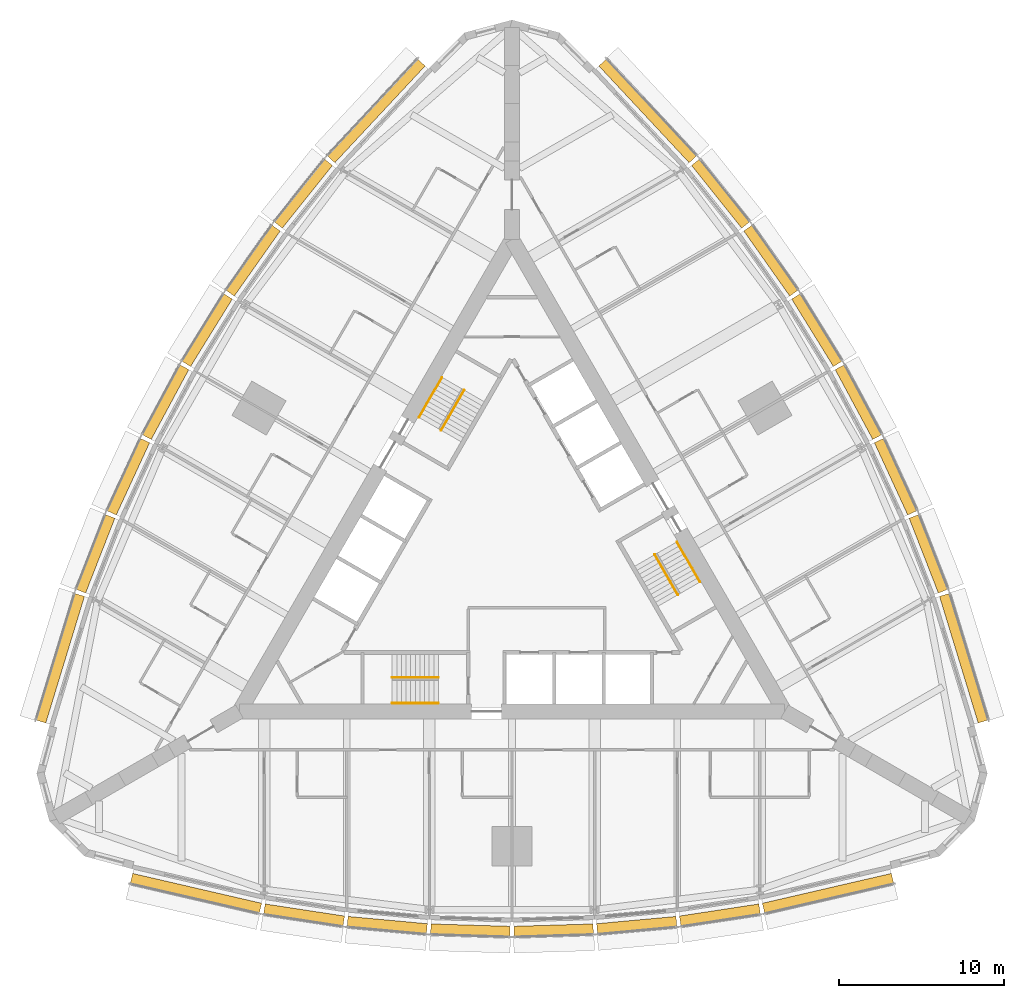
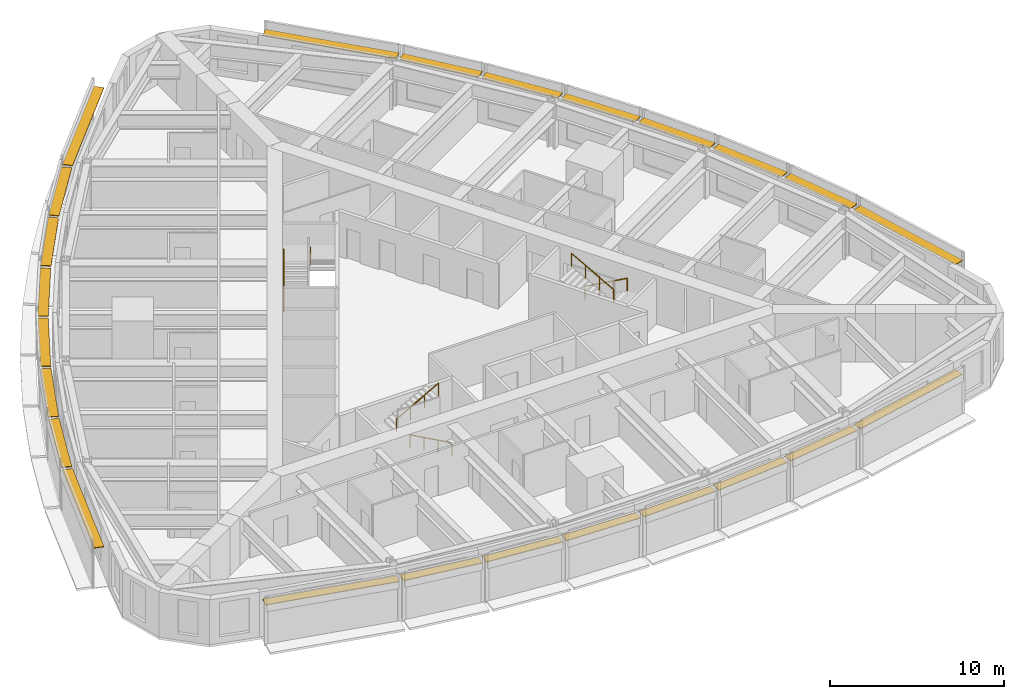
# One storey, part 14 of 14: 24 shading devices, 6 railings.
"""IFC4 building model written with IfcOpenShell, lengths in metres."""

from ifc_helpers import new_model, si_unit, direction, frame, origin, origin_2d, place, context, subcontext, project, spatial, rectangle, circle, extrude, material, type_object, element, save


model = new_model("IFC4")

# Units and contexts
model_context = context("Model", 3, precision=1e-05, world=origin(), true_north=direction((0.0, 1.0)))
body_context = subcontext(model_context, "Body", "Model", "MODEL_VIEW")
ifc_project = project(units=[si_unit("LENGTHUNIT", "METRE"), si_unit("AREAUNIT", "SQUARE_METRE"), si_unit("VOLUMEUNIT", "CUBIC_METRE"), si_unit("PLANEANGLEUNIT", "RADIAN"), si_unit("MASSUNIT", "GRAM", prefix="KILO")], contexts=[model_context])

# Site, building, storey
site_placement = place(None, origin())
site = spatial("IfcSite", under=ifc_project, at=site_placement, CompositionType="ELEMENT")
building_placement = place(site_placement, origin())
building = spatial("IfcBuilding", under=site, at=building_placement, Name="Trikona Tower", CompositionType="ELEMENT")
storey_placement = place(building_placement, frame((0.0, 0.0, 99.89990234375)))
storey = spatial("IfcBuildingStorey", under=building, at=storey_placement, Name="L26", CompositionType="ELEMENT", Elevation=99.89990234375)

# Shading devices
ifc_material_1 = material(Name="Aluminium louvre blade, pale anodised", Category="aluminium")
shading_device_type = type_object("IfcShadingDeviceType", Name="Cavity louvre 600", PredefinedType="USERDEFINED", material=ifc_material_1)
shading_device_1_placement = place(storey_placement, frame((-19.126220703125, -20.5234375, 2.77490234375), z_axis=(0.0, 0.0, 1.0), x_axis=(0.974277718622, -0.225350675607, 0.0)))
element("IfcShadingDevice", 1, at=shading_device_1_placement, inside=storey, type_object=shading_device_type, Name="Cavity louvre L26-00", ObjectType="LOUVRE", PredefinedType="USERDEFINED", context=body_context, shape_type="SweptSolid", body=[
    extrude(rectangle(XDim=8.01123046875, YDim=0.60009765625, at=origin_2d()), origin(), (0.0, 0.0, 1.0), 0.050048828125),
])
shading_device_2_placement = place(storey_placement, frame((-12.584228515625, -21.837158203125, 2.77490234375), z_axis=(0.0, 0.0, 1.0), x_axis=(0.988617896768, -0.150448177754, 0.0)))
element("IfcShadingDevice", 2, at=shading_device_2_placement, inside=storey, type_object=shading_device_type, Name="Cavity louvre L26-01", ObjectType="LOUVRE", PredefinedType="USERDEFINED", context=body_context, shape_type="SweptSolid", body=[
    extrude(rectangle(XDim=4.857666015625, YDim=0.60009765625, at=origin_2d()), origin(), (0.0, 0.0, 1.0), 0.050048828125),
])
shading_device_3_placement = place(storey_placement, frame((-7.55078125, -22.44970703125, 2.77490234375), z_axis=(0.0, 0.0, 1.0), x_axis=(0.995858098326, -0.090921108655, 0.0)))
element("IfcShadingDevice", 3, at=shading_device_3_placement, inside=storey, type_object=shading_device_type, Name="Cavity louvre L26-02", ObjectType="LOUVRE", PredefinedType="USERDEFINED", context=body_context, shape_type="SweptSolid", body=[
    extrude(rectangle(XDim=4.82080078125, YDim=0.60009765625, at=origin_2d()), origin(), (0.0, 0.0, 1.0), 0.050048828125),
])
for number, where, z_axis, x_axis, name in (
    (4, (-2.51708984375, -22.756103515625, 2.77490234375), (0.0, 0.0, 1.0), (0.999537048889, -0.030425119525, 0.0), "Cavity louvre L26-03"),
    (5, (2.51708984375, -22.756103515625, 2.77490234375), (0.0, 0.0, 1.0), (0.999537048889, 0.030425119525, 0.0), "Cavity louvre L26-04"),
):
    element("IfcShadingDevice", number, at=place(storey_placement, frame(where, z_axis=z_axis, x_axis=x_axis)), inside=storey, type_object=shading_device_type, Name=name, ObjectType="LOUVRE", PredefinedType="USERDEFINED", context=body_context, shape_type="SweptSolid", body=[
        extrude(rectangle(XDim=4.80224609375, YDim=0.60009765625, at=origin_2d()), origin(), (0.0, 0.0, 1.0), 0.050048828125),
    ])
shading_device_4_placement = place(storey_placement, frame((7.55078125, -22.44970703125, 2.77490234375), z_axis=(0.0, 0.0, 1.0), x_axis=(0.995858098326, 0.090921108655, 0.0)))
element("IfcShadingDevice", 6, at=shading_device_4_placement, inside=storey, type_object=shading_device_type, Name="Cavity louvre L26-05", ObjectType="LOUVRE", PredefinedType="USERDEFINED", context=body_context, shape_type="SweptSolid", body=[
    extrude(rectangle(XDim=4.82080078125, YDim=0.60009765625, at=origin_2d()), origin(), (0.0, 0.0, 1.0), 0.050048828125),
])
shading_device_5_placement = place(storey_placement, frame((12.584228515625, -21.837158203125, 2.77490234375), z_axis=(0.0, 0.0, 1.0), x_axis=(0.988617896768, 0.150448177754, 0.0)))
element("IfcShadingDevice", 7, at=shading_device_5_placement, inside=storey, type_object=shading_device_type, Name="Cavity louvre L26-06", ObjectType="LOUVRE", PredefinedType="USERDEFINED", context=body_context, shape_type="SweptSolid", body=[
    extrude(rectangle(XDim=4.857666015625, YDim=0.60009765625, at=origin_2d()), origin(), (0.0, 0.0, 1.0), 0.050048828125),
])
for number, where, z_axis, x_axis, name in (
    (8, (19.126220703125, -20.5234375, 2.77490234375), (0.0, 0.0, 1.0), (0.974277718622, 0.225350675607, 0.0), "Cavity louvre L26-07"),
    (9, (27.3369140625, -6.302001953125, 2.77490234375), (0.0, 0.0, 1.0), (-0.291979449475, 0.956424592471, 0.0), "Cavity louvre L26-12"),
):
    element("IfcShadingDevice", number, at=place(storey_placement, frame(where, z_axis=z_axis, x_axis=x_axis)), inside=storey, type_object=shading_device_type, Name=name, ObjectType="LOUVRE", PredefinedType="USERDEFINED", context=body_context, shape_type="SweptSolid", body=[
        extrude(rectangle(XDim=8.01123046875, YDim=0.60009765625, at=origin_2d()), origin(), (0.0, 0.0, 1.0), 0.050048828125),
    ])
shading_device_6_placement = place(storey_placement, frame((25.20361328125, 0.020263671875, 2.77490234375), z_axis=(0.0, 0.0, 1.0), x_axis=(-0.364008876551, 0.931395478726, 0.0)))
element("IfcShadingDevice", 10, at=shading_device_6_placement, inside=storey, type_object=shading_device_type, Name="Cavity louvre L26-13", ObjectType="LOUVRE", PredefinedType="USERDEFINED", context=body_context, shape_type="SweptSolid", body=[
    extrude(rectangle(XDim=4.857666015625, YDim=0.60009765625, at=origin_2d()), origin(), (0.0, 0.0, 1.0), 0.050048828125),
])
shading_device_7_placement = place(storey_placement, frame((23.217529296875, 4.685546875, 2.77490234375), z_axis=(0.0, 0.0, 1.0), x_axis=(-0.41919381307, 0.907896771161, 0.0)))
element("IfcShadingDevice", 11, at=shading_device_7_placement, inside=storey, type_object=shading_device_type, Name="Cavity louvre L26-14", ObjectType="LOUVRE", PredefinedType="USERDEFINED", context=body_context, shape_type="SweptSolid", body=[
    extrude(rectangle(XDim=4.82080078125, YDim=0.60009765625, at=origin_2d()), origin(), (0.0, 0.0, 1.0), 0.050048828125),
])
for number, where, z_axis, x_axis, name in (
    (12, (20.966064453125, 9.1982421875, 2.77490234375), (0.0, 0.0, 1.0), (-0.473422672721, 0.880835383572, 0.0), "Cavity louvre L26-15"),
    (13, (18.448974609375, 13.557861328125, 2.77490234375), (0.0, 0.0, 1.0), (-0.526118935114, 0.85041099835, 0.0), "Cavity louvre L26-16"),
):
    element("IfcShadingDevice", number, at=place(storey_placement, frame(where, z_axis=z_axis, x_axis=x_axis)), inside=storey, type_object=shading_device_type, Name=name, ObjectType="LOUVRE", PredefinedType="USERDEFINED", context=body_context, shape_type="SweptSolid", body=[
        extrude(rectangle(XDim=4.80224609375, YDim=0.60009765625, at=origin_2d()), origin(), (0.0, 0.0, 1.0), 0.050048828125),
    ])
shading_device_8_placement = place(storey_placement, frame((15.666748046875, 17.76416015625, 2.77490234375), z_axis=(0.0, 0.0, 1.0), x_axis=(-0.576661909499, 0.816982889743, 0.0)))
element("IfcShadingDevice", 14, at=shading_device_8_placement, inside=storey, type_object=shading_device_type, Name="Cavity louvre L26-17", ObjectType="LOUVRE", PredefinedType="USERDEFINED", context=body_context, shape_type="SweptSolid", body=[
    extrude(rectangle(XDim=4.82080078125, YDim=0.60009765625, at=origin_2d()), origin(), (0.0, 0.0, 1.0), 0.050048828125),
])
shading_device_9_placement = place(storey_placement, frame((12.619384765625, 21.81689453125, 2.77490234375), z_axis=(0.0, 0.0, 1.0), x_axis=(-0.624603618277, 0.780941944087, 0.0)))
element("IfcShadingDevice", 15, at=shading_device_9_placement, inside=storey, type_object=shading_device_type, Name="Cavity louvre L26-18", ObjectType="LOUVRE", PredefinedType="USERDEFINED", context=body_context, shape_type="SweptSolid", body=[
    extrude(rectangle(XDim=4.857666015625, YDim=0.60009765625, at=origin_2d()), origin(), (0.0, 0.0, 1.0), 0.050048828125),
])
for number, where, z_axis, x_axis, name in (
    (16, (8.210693359375, 26.825439453125, 2.77490234375), (0.0, 0.0, 1.0), (-0.682298269147, 0.731073916864, 0.0), "Cavity louvre L26-19"),
    (17, (-8.210693359375, 26.825439453125, 2.77490234375), (0.0, 0.0, 1.0), (-0.682298269147, -0.731073916864, 0.0), "Cavity louvre L26-24"),
):
    element("IfcShadingDevice", number, at=place(storey_placement, frame(where, z_axis=z_axis, x_axis=x_axis)), inside=storey, type_object=shading_device_type, Name=name, ObjectType="LOUVRE", PredefinedType="USERDEFINED", context=body_context, shape_type="SweptSolid", body=[
        extrude(rectangle(XDim=8.01123046875, YDim=0.60009765625, at=origin_2d()), origin(), (0.0, 0.0, 1.0), 0.050048828125),
    ])
shading_device_10_placement = place(storey_placement, frame((-12.619384765625, 21.81689453125, 2.77490234375), z_axis=(0.0, 0.0, 1.0), x_axis=(-0.624603618277, -0.780941944087, 0.0)))
element("IfcShadingDevice", 18, at=shading_device_10_placement, inside=storey, type_object=shading_device_type, Name="Cavity louvre L26-25", ObjectType="LOUVRE", PredefinedType="USERDEFINED", context=body_context, shape_type="SweptSolid", body=[
    extrude(rectangle(XDim=4.857666015625, YDim=0.60009765625, at=origin_2d()), origin(), (0.0, 0.0, 1.0), 0.050048828125),
])
shading_device_11_placement = place(storey_placement, frame((-15.666748046875, 17.76416015625, 2.77490234375), z_axis=(0.0, 0.0, 1.0), x_axis=(-0.576661909499, -0.816982889743, 0.0)))
element("IfcShadingDevice", 19, at=shading_device_11_placement, inside=storey, type_object=shading_device_type, Name="Cavity louvre L26-26", ObjectType="LOUVRE", PredefinedType="USERDEFINED", context=body_context, shape_type="SweptSolid", body=[
    extrude(rectangle(XDim=4.82080078125, YDim=0.60009765625, at=origin_2d()), origin(), (0.0, 0.0, 1.0), 0.050048828125),
])
for number, where, z_axis, x_axis, name in (
    (20, (-18.448974609375, 13.557861328125, 2.77490234375), (0.0, 0.0, 1.0), (-0.526118935114, -0.85041099835, 0.0), "Cavity louvre L26-27"),
    (21, (-20.966064453125, 9.1982421875, 2.77490234375), (0.0, 0.0, 1.0), (-0.473422672721, -0.880835383572, 0.0), "Cavity louvre L26-28"),
):
    element("IfcShadingDevice", number, at=place(storey_placement, frame(where, z_axis=z_axis, x_axis=x_axis)), inside=storey, type_object=shading_device_type, Name=name, ObjectType="LOUVRE", PredefinedType="USERDEFINED", context=body_context, shape_type="SweptSolid", body=[
        extrude(rectangle(XDim=4.80224609375, YDim=0.60009765625, at=origin_2d()), origin(), (0.0, 0.0, 1.0), 0.050048828125),
    ])
shading_device_12_placement = place(storey_placement, frame((-23.217529296875, 4.685546875, 2.77490234375), z_axis=(0.0, 0.0, 1.0), x_axis=(-0.41919381307, -0.907896771161, 0.0)))
element("IfcShadingDevice", 22, at=shading_device_12_placement, inside=storey, type_object=shading_device_type, Name="Cavity louvre L26-29", ObjectType="LOUVRE", PredefinedType="USERDEFINED", context=body_context, shape_type="SweptSolid", body=[
    extrude(rectangle(XDim=4.82080078125, YDim=0.60009765625, at=origin_2d()), origin(), (0.0, 0.0, 1.0), 0.050048828125),
])
shading_device_13_placement = place(storey_placement, frame((-25.20361328125, 0.020263671875, 2.77490234375), z_axis=(0.0, 0.0, 1.0), x_axis=(-0.364008876551, -0.931395478726, 0.0)))
element("IfcShadingDevice", 23, at=shading_device_13_placement, inside=storey, type_object=shading_device_type, Name="Cavity louvre L26-30", ObjectType="LOUVRE", PredefinedType="USERDEFINED", context=body_context, shape_type="SweptSolid", body=[
    extrude(rectangle(XDim=4.857666015625, YDim=0.60009765625, at=origin_2d()), origin(), (0.0, 0.0, 1.0), 0.050048828125),
])
shading_device_14_placement = place(storey_placement, frame((-27.3369140625, -6.302001953125, 2.77490234375), z_axis=(0.0, 0.0, 1.0), x_axis=(-0.291979449475, -0.956424592471, 0.0)))
element("IfcShadingDevice", 24, at=shading_device_14_placement, inside=storey, type_object=shading_device_type, Name="Cavity louvre L26-31", ObjectType="LOUVRE", PredefinedType="USERDEFINED", context=body_context, shape_type="SweptSolid", body=[
    extrude(rectangle(XDim=8.01123046875, YDim=0.60009765625, at=origin_2d()), origin(), (0.0, 0.0, 1.0), 0.050048828125),
])

# Railings
ifc_material_2 = material(Name="Stainless steel handrail", Category="steel")
railing_type = type_object("IfcRailingType", Name="Stair handrail", PredefinedType="HANDRAIL", material=ifc_material_2)
railing_1_placement = place(storey_placement, frame((-4.449951171875, -9.016357421875, 0.154541015625)))
element("IfcRailing", 25, at=railing_1_placement, inside=storey, type_object=railing_type, Name="Stair handrail A L26 1", PredefinedType="HANDRAIL", context=body_context, shape_type="SweptSolid", body=[
    extrude(circle(Radius=0.02392578125, at=origin_2d()), frame((0.0, 0.0, 0.8759765625), z_axis=(-0.875471895205, 0.0, 0.483269035534), x_axis=(0.0, -1.0, 0.0)), (0.0, 0.0, 1.0), 3.1982421875),
    extrude(circle(Radius=0.02099609375, at=origin_2d()), origin(), (0.0, 0.0, 1.0), 0.851806640625),
    extrude(circle(Radius=0.02099609375, at=origin_2d()), frame((-0.933349609375, 0.0, 0.51513671875)), (0.0, 0.0, 1.0), 0.851806640625),
    extrude(circle(Radius=0.02099609375, at=origin_2d()), frame((-1.86669921875, 0.0, 1.030517578125)), (0.0, 0.0, 1.0), 0.851806640625),
    extrude(circle(Radius=0.02099609375, at=origin_2d()), frame((-2.800048828125, 0.0, 1.545654296875)), (0.0, 0.0, 1.0), 0.851806640625),
])
railing_2_placement = place(storey_placement, frame((-7.25, -7.46630859375, 1.8544921875)))
element("IfcRailing", 26, at=railing_2_placement, inside=storey, type_object=railing_type, Name="Stair handrail A L26 2", PredefinedType="HANDRAIL", context=body_context, shape_type="SweptSolid", body=[
    extrude(circle(Radius=0.02392578125, at=origin_2d()), frame((0.0, 0.0, 0.8759765625), z_axis=(0.875471895205, 0.0, 0.483269035534), x_axis=(0.0, 1.0, 0.0)), (0.0, 0.0, 1.0), 3.1982421875),
    extrude(circle(Radius=0.02099609375, at=origin_2d()), origin(), (0.0, 0.0, 1.0), 0.851806640625),
    extrude(circle(Radius=0.02099609375, at=origin_2d()), frame((0.933349609375, 0.0, 0.51513671875)), (0.0, 0.0, 1.0), 0.851806640625),
    extrude(circle(Radius=0.02099609375, at=origin_2d()), frame((1.86669921875, 0.0, 1.030517578125)), (0.0, 0.0, 1.0), 0.851806640625),
    extrude(circle(Radius=0.02099609375, at=origin_2d()), frame((2.800048828125, 0.0, 1.545654296875)), (0.0, 0.0, 1.0), 0.851806640625),
])
railing_3_placement = place(storey_placement, frame((9.9833984375, 0.740966796875, 0.154541015625)))
element("IfcRailing", 27, at=railing_3_placement, inside=storey, type_object=railing_type, Name="Stair handrail B L26 1", PredefinedType="HANDRAIL", context=body_context, shape_type="SweptSolid", body=[
    extrude(circle(Radius=0.02392578125, at=origin_2d()), frame((0.0, 0.0, 0.8759765625), z_axis=(0.437691042731, -0.758211567396, 0.483261596012), x_axis=(0.866056369097, 0.49994636267, 0.0)), (0.0, 0.0, 1.0), 3.198486328125),
    extrude(circle(Radius=0.02099609375, at=origin_2d()), origin(), (0.0, 0.0, 1.0), 0.851806640625),
    extrude(circle(Radius=0.02099609375, at=origin_2d()), frame((0.466552734375, -0.808349609375, 0.51513671875)), (0.0, 0.0, 1.0), 0.851806640625),
    extrude(circle(Radius=0.02099609375, at=origin_2d()), frame((0.933349609375, -1.61669921875, 1.030517578125)), (0.0, 0.0, 1.0), 0.851806640625),
    extrude(circle(Radius=0.02099609375, at=origin_2d()), frame((1.39990234375, -2.425048828125, 1.545654296875)), (0.0, 0.0, 1.0), 0.851806640625),
])
railing_4_placement = place(storey_placement, frame((10.041015625, -2.458984375, 1.8544921875)))
element("IfcRailing", 28, at=railing_4_placement, inside=storey, type_object=railing_type, Name="Stair handrail B L26 2", PredefinedType="HANDRAIL", context=body_context, shape_type="SweptSolid", body=[
    extrude(circle(Radius=0.02392578125, at=origin_2d()), frame((0.0, 0.0, 0.8759765625), z_axis=(-0.437691042731, 0.758211567396, 0.483261596012), x_axis=(-0.866056369097, -0.49994636267, 0.0)), (0.0, 0.0, 1.0), 3.198486328125),
    extrude(circle(Radius=0.02099609375, at=origin_2d()), origin(), (0.0, 0.0, 1.0), 0.851806640625),
    extrude(circle(Radius=0.02099609375, at=origin_2d()), frame((-0.466552734375, 0.808349609375, 0.51513671875)), (0.0, 0.0, 1.0), 0.851806640625),
    extrude(circle(Radius=0.02099609375, at=origin_2d()), frame((-0.933349609375, 1.61669921875, 1.030517578125)), (0.0, 0.0, 1.0), 0.851806640625),
    extrude(circle(Radius=0.02099609375, at=origin_2d()), frame((-1.39990234375, 2.425048828125, 1.545654296875)), (0.0, 0.0, 1.0), 0.851806640625),
])
railing_5_placement = place(storey_placement, frame((-5.63330078125, 8.275390625, 0.154541015625)))
element("IfcRailing", 29, at=railing_5_placement, inside=storey, type_object=railing_type, Name="Stair handrail C L26 1", PredefinedType="HANDRAIL", context=body_context, shape_type="SweptSolid", body=[
    extrude(circle(Radius=0.02392578125, at=origin_2d()), frame((0.0, 0.0, 0.8759765625), z_axis=(0.437716375571, 0.758179114435, 0.4832895664), x_axis=(-0.866034573852, 0.49998411664, 0.0)), (0.0, 0.0, 1.0), 3.1982421875),
    extrude(circle(Radius=0.02099609375, at=origin_2d()), origin(), (0.0, 0.0, 1.0), 0.851806640625),
    extrude(circle(Radius=0.02099609375, at=origin_2d()), frame((0.466552734375, 0.808349609375, 0.51513671875)), (0.0, 0.0, 1.0), 0.851806640625),
    extrude(circle(Radius=0.02099609375, at=origin_2d()), frame((0.933349609375, 1.616455078125, 1.030517578125)), (0.0, 0.0, 1.0), 0.851806640625),
    extrude(circle(Radius=0.02099609375, at=origin_2d()), frame((1.39990234375, 2.4248046875, 1.545654296875)), (0.0, 0.0, 1.0), 0.851806640625),
])
railing_6_placement = place(storey_placement, frame((-2.89111328125, 9.92529296875, 1.8544921875)))
element("IfcRailing", 30, at=railing_6_placement, inside=storey, type_object=railing_type, Name="Stair handrail C L26 2", PredefinedType="HANDRAIL", context=body_context, shape_type="SweptSolid", body=[
    extrude(circle(Radius=0.02392578125, at=origin_2d()), frame((0.0, 0.0, 0.8759765625), z_axis=(-0.437691042731, -0.758211567396, 0.483261596012), x_axis=(0.866056369097, -0.49994636267, 0.0)), (0.0, 0.0, 1.0), 3.198486328125),
    extrude(circle(Radius=0.02099609375, at=origin_2d()), origin(), (0.0, 0.0, 1.0), 0.851806640625),
    extrude(circle(Radius=0.02099609375, at=origin_2d()), frame((-0.466552734375, -0.808349609375, 0.51513671875)), (0.0, 0.0, 1.0), 0.851806640625),
    extrude(circle(Radius=0.02099609375, at=origin_2d()), frame((-0.933349609375, -1.61669921875, 1.030517578125)), (0.0, 0.0, 1.0), 0.851806640625),
    extrude(circle(Radius=0.02099609375, at=origin_2d()), frame((-1.39990234375, -2.425048828125, 1.545654296875)), (0.0, 0.0, 1.0), 0.851806640625),
])

save(model, "model.ifc")
